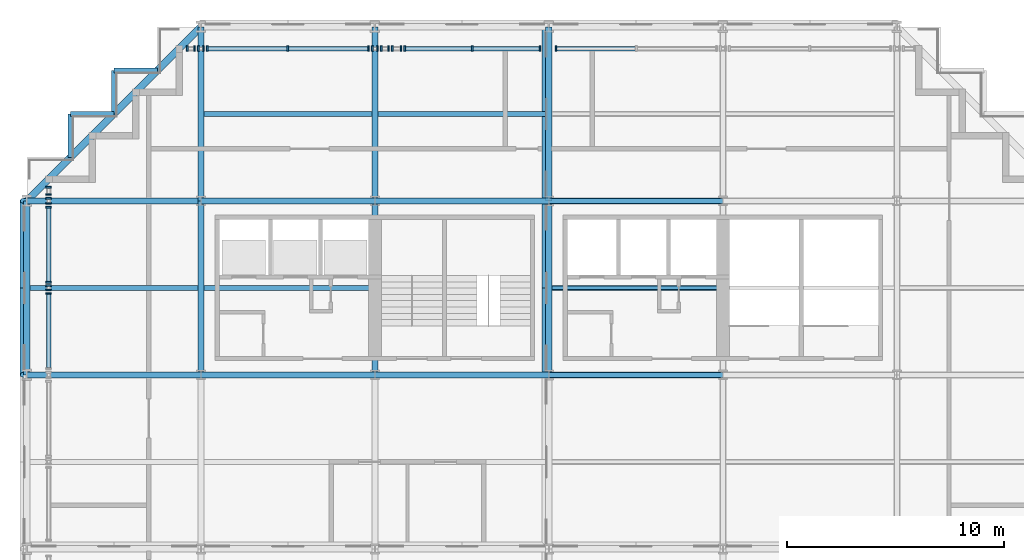
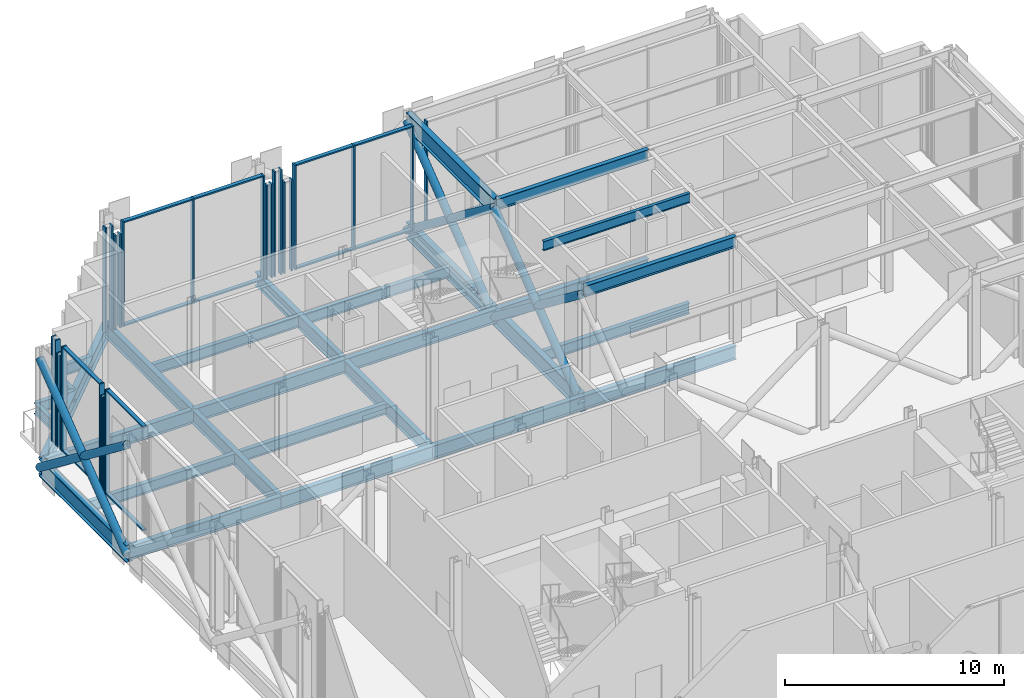
# One storey, part 6 of 25: 45 members, 29 beams, 13 elements without a shape of their own.
"""IFC4 building model written with IfcOpenShell, lengths in metres."""

from ifc_helpers import new_model, si_unit, direction, frame, origin, origin_2d, place, context, subcontext, project, spatial, rectangle, hollow_circle, i_section, extrude, material, material_profile, profile_set, type_object, element, aggregate, save


model = new_model("IFC4")

# Units and contexts
model_context = context("Model", 3, precision=1e-05, world=origin(), true_north=direction((0.0, 1.0)))
body_context = subcontext(model_context, "Body", "Model", "MODEL_VIEW")
ifc_project = project(units=[si_unit("LENGTHUNIT", "METRE"), si_unit("AREAUNIT", "SQUARE_METRE"), si_unit("VOLUMEUNIT", "CUBIC_METRE"), si_unit("PLANEANGLEUNIT", "RADIAN"), si_unit("MASSUNIT", "GRAM", prefix="KILO")], contexts=[model_context])

# Site, building, storey
site_placement = place(None, origin())
site = spatial("IfcSite", under=ifc_project, at=site_placement, CompositionType="ELEMENT")
building_placement = place(site_placement, origin())
building = spatial("IfcBuilding", under=site, at=building_placement, Name="Immortelle Media Tower", CompositionType="ELEMENT")
storey_placement = place(building_placement, frame((0.0, 0.0, 114.0)))
storey = spatial("IfcBuildingStorey", under=building, at=storey_placement, Name="L22", CompositionType="ELEMENT", Elevation=114.0)

# Members
ifc_material_1 = material(Name="Steel ASTM A500 Gr C", Category="steel")
ifc_material_profile_1 = material_profile(ifc_material_1, hollow_circle(Radius=0.202880859375, WallThickness=0.011962890625, at=origin_2d()), Name="HSS16.000x0.500 truss diagonal")
ifc_profile_set_1 = profile_set([ifc_material_profile_1], Name="Steel ASTM A500 Gr C")
member_type_1 = type_object("IfcMemberType", Name="HSS16.000x0.500 truss diagonal", PredefinedType="BRACE", material=ifc_profile_set_1)
for number, where, z_axis, x_axis, name in (
    (1, (-0.113037109375, 32.0, -0.72509765625), (0.0, 0.794648909693, 0.607069279674), (-1.0, 0.0, 0.0), "Belt truss 1/E-F A"),
    (2, (-0.113037109375, 32.0, 5.386474609375), (0.0, 0.794648909693, -0.607069279674), (-1.0, 0.0, 0.0), "Belt truss 1/E-F B"),
    (3, (23.886962890625, 32.0, -0.72509765625), (0.0, 0.794648909693, 0.607069279674), (-1.0, 0.0, 0.0), "Belt truss 4/E-F A"),
    (4, (23.886962890625, 32.0, 5.386474609375), (0.0, 0.794648909693, -0.607069279674), (-1.0, 0.0, 0.0), "Belt truss 4/E-F B"),
    (5, (23.886962890625, 40.0, -0.72509765625), (0.0, 0.794648909693, 0.607069279674), (-1.0, 0.0, 0.0), "Belt truss 4/F-G A"),
    (6, (23.886962890625, 40.0, 5.386474609375), (0.0, 0.794648909693, -0.607069279674), (-1.0, 0.0, 0.0), "Belt truss 4/F-G B"),
):
    element("IfcMember", number, at=place(storey_placement, frame(where, z_axis=z_axis, x_axis=x_axis)), inside=storey, type_object=member_type_1, Name=name, PredefinedType="BRACE", context=body_context, shape_type="SweptSolid", body=[
        extrude(hollow_circle(Radius=0.202880859375, WallThickness=0.011962890625, at=origin_2d()), origin(), (0.0, 0.0, 1.0), 10.0673828125),
    ])

# Curtain wall, member
ifc_material_2 = material(Name="Aluminium curtain wall system", Category="aluminium")
curtain_wall_type = type_object("IfcCurtainWallType", Name="Plant louvre wall curtain wall", PredefinedType="NOTDEFINED", material=ifc_material_2)
curtain_wall_1_placement = place(storey_placement, origin())
curtain_wall_1 = element("IfcCurtainWall", 7, at=curtain_wall_1_placement, inside=storey, type_object=curtain_wall_type, Name="Plant louvre wall L22 N 21-5", PredefinedType="NOTDEFINED")
ifc_material_3 = material(Name="Aluminium 6063-T6", Category="aluminium")
ifc_material_profile_2 = material_profile(ifc_material_3, rectangle(XDim=0.25, YDim=0.080078125, at=origin_2d()), Name="AL 80x250")
ifc_profile_set_2 = profile_set([ifc_material_profile_2], Name="Aluminium 6063-T6")
member_type_2 = type_object("IfcMemberType", Name="Plant louvre wall mullion 80 x 250", PredefinedType="MULLION", material=ifc_profile_set_2)
member_1_placement = place(storey_placement, frame((24.33349609375, 47.0, 0.0), z_axis=(0.0, 0.0, 1.0), x_axis=(0.0, -1.0, 0.0)))
member_1 = element("IfcMember", 8, at=member_1_placement, type_object=member_type_2, Name="CW6 mullion 3", PredefinedType="MULLION", context=body_context, shape_type="SweptSolid", body=[
    extrude(rectangle(XDim=0.25, YDim=0.080078125, at=origin_2d()), origin(), (0.0, 0.0, 1.0), 5.849609375),
])

# Curtain wall, members
curtain_wall_2_placement = place(storey_placement, origin())
curtain_wall_2 = element("IfcCurtainWall", 9, at=curtain_wall_2_placement, inside=storey, type_object=curtain_wall_type, Name="Plant louvre wall L22 N 21-6", PredefinedType="NOTDEFINED")
member_2_placement = place(storey_placement, frame((23.593994140625, 47.0, 0.0), z_axis=(0.0, 0.0, 1.0), x_axis=(0.0, -1.0, 0.0)))
member_2 = element("IfcMember", 10, at=member_2_placement, type_object=member_type_2, Name="CW6 mullion 1", PredefinedType="MULLION", context=body_context, shape_type="SweptSolid", body=[
    extrude(rectangle(XDim=0.25, YDim=0.080078125, at=origin_2d()), origin(), (0.0, 0.0, 1.0), 5.849609375),
])
member_3_placement = place(storey_placement, frame((20.4814453125, 47.0, 0.0), z_axis=(0.0, 0.0, 1.0), x_axis=(0.0, -1.0, 0.0)))
member_3 = element("IfcMember", 11, at=member_3_placement, type_object=member_type_2, Name="CW6 mullion 2", PredefinedType="MULLION", context=body_context, shape_type="SweptSolid", body=[
    extrude(rectangle(XDim=0.25, YDim=0.080078125, at=origin_2d()), origin(), (0.0, 0.0, 1.0), 5.849609375),
])
member_4_placement = place(storey_placement, frame((17.368896484375, 47.0, 0.0), z_axis=(0.0, 0.0, 1.0), x_axis=(0.0, -1.0, 0.0)))
member_4 = element("IfcMember", 12, at=member_4_placement, type_object=member_type_2, Name="CW6 mullion 3", PredefinedType="MULLION", context=body_context, shape_type="SweptSolid", body=[
    extrude(rectangle(XDim=0.25, YDim=0.080078125, at=origin_2d()), origin(), (0.0, 0.0, 1.0), 5.849609375),
])

curtain_wall_3_placement = place(storey_placement, origin())
curtain_wall_3 = element("IfcCurtainWall", 13, at=curtain_wall_3_placement, inside=storey, type_object=curtain_wall_type, Name="Plant louvre wall L22 N 21-7", PredefinedType="NOTDEFINED")
member_5_placement = place(storey_placement, frame((17.19873046875, 47.0, 0.0), z_axis=(0.0, 0.0, 1.0), x_axis=(0.0, -1.0, 0.0)))
member_5 = element("IfcMember", 14, at=member_5_placement, type_object=member_type_2, Name="CW6 mullion 1", PredefinedType="MULLION", context=body_context, shape_type="SweptSolid", body=[
    extrude(rectangle(XDim=0.25, YDim=0.080078125, at=origin_2d()), origin(), (0.0, 0.0, 1.0), 5.08740234375),
])
member_6_placement = place(storey_placement, frame((16.80126953125, 47.0, 0.0), z_axis=(0.0, 0.0, 1.0), x_axis=(0.0, -1.0, 0.0)))
member_6 = element("IfcMember", 15, at=member_6_placement, type_object=member_type_2, Name="CW6 mullion 2", PredefinedType="MULLION", context=body_context, shape_type="SweptSolid", body=[
    extrude(rectangle(XDim=0.25, YDim=0.080078125, at=origin_2d()), origin(), (0.0, 0.0, 1.0), 5.08740234375),
])
aggregate(curtain_wall_3, [member_5, member_6])

curtain_wall_4_placement = place(storey_placement, origin())
curtain_wall_4 = element("IfcCurtainWall", 16, at=curtain_wall_4_placement, inside=storey, type_object=curtain_wall_type, Name="Plant louvre wall L22 N 21-8", PredefinedType="NOTDEFINED")
member_7_placement = place(storey_placement, frame((16.631103515625, 47.0, 0.0), z_axis=(0.0, 0.0, 1.0), x_axis=(0.0, -1.0, 0.0)))
member_7 = element("IfcMember", 17, at=member_7_placement, type_object=member_type_2, Name="CW6 mullion 1", PredefinedType="MULLION", context=body_context, shape_type="SweptSolid", body=[
    extrude(rectangle(XDim=0.25, YDim=0.080078125, at=origin_2d()), origin(), (0.0, 0.0, 1.0), 5.849609375),
])
member_8_placement = place(storey_placement, frame((16.29443359375, 47.0, 0.0), z_axis=(0.0, 0.0, 1.0), x_axis=(0.0, -1.0, 0.0)))
member_8 = element("IfcMember", 18, at=member_8_placement, type_object=member_type_2, Name="CW6 mullion 2", PredefinedType="MULLION", context=body_context, shape_type="SweptSolid", body=[
    extrude(rectangle(XDim=0.25, YDim=0.080078125, at=origin_2d()), origin(), (0.0, 0.0, 1.0), 5.849609375),
])
aggregate(curtain_wall_4, [member_7, member_8])

curtain_wall_5_placement = place(storey_placement, origin())
curtain_wall_5 = element("IfcCurtainWall", 19, at=curtain_wall_5_placement, inside=storey, type_object=curtain_wall_type, Name="Plant louvre wall L22 N 21-9", PredefinedType="NOTDEFINED")
member_9_placement = place(storey_placement, frame((16.12451171875, 47.0, 0.0), z_axis=(0.0, 0.0, 1.0), x_axis=(0.0, -1.0, 0.0)))
member_9 = element("IfcMember", 20, at=member_9_placement, type_object=member_type_2, Name="CW6 mullion 1", PredefinedType="MULLION", context=body_context, shape_type="SweptSolid", body=[
    extrude(rectangle(XDim=0.25, YDim=0.080078125, at=origin_2d()), origin(), (0.0, 0.0, 1.0), 5.237548828125),
])
member_10_placement = place(storey_placement, frame((15.87548828125, 47.0, 0.0), z_axis=(0.0, 0.0, 1.0), x_axis=(0.0, -1.0, 0.0)))
member_10 = element("IfcMember", 21, at=member_10_placement, type_object=member_type_2, Name="CW6 mullion 2", PredefinedType="MULLION", context=body_context, shape_type="SweptSolid", body=[
    extrude(rectangle(XDim=0.25, YDim=0.080078125, at=origin_2d()), origin(), (0.0, 0.0, 1.0), 5.237548828125),
])
aggregate(curtain_wall_5, [member_9, member_10])

curtain_wall_6_placement = place(storey_placement, origin())
curtain_wall_6 = element("IfcCurtainWall", 22, at=curtain_wall_6_placement, inside=storey, type_object=curtain_wall_type, Name="Plant louvre wall L22 N 21-10", PredefinedType="NOTDEFINED")
member_11_placement = place(storey_placement, frame((15.70556640625, 47.0, 0.0), z_axis=(0.0, 0.0, 1.0), x_axis=(0.0, -1.0, 0.0)))
member_11 = element("IfcMember", 23, at=member_11_placement, type_object=member_type_2, Name="CW6 mullion 1", PredefinedType="MULLION", context=body_context, shape_type="SweptSolid", body=[
    extrude(rectangle(XDim=0.25, YDim=0.080078125, at=origin_2d()), origin(), (0.0, 0.0, 1.0), 5.849609375),
])
member_12_placement = place(storey_placement, frame((12.0, 47.0, 0.0), z_axis=(0.0, 0.0, 1.0), x_axis=(0.0, -1.0, 0.0)))
member_12 = element("IfcMember", 24, at=member_12_placement, type_object=member_type_2, Name="CW6 mullion 2", PredefinedType="MULLION", context=body_context, shape_type="SweptSolid", body=[
    extrude(rectangle(XDim=0.25, YDim=0.080078125, at=origin_2d()), origin(), (0.0, 0.0, 1.0), 5.849609375),
])
member_13_placement = place(storey_placement, frame((8.29443359375, 47.0, 0.0), z_axis=(0.0, 0.0, 1.0), x_axis=(0.0, -1.0, 0.0)))
member_13 = element("IfcMember", 25, at=member_13_placement, type_object=member_type_2, Name="CW6 mullion 3", PredefinedType="MULLION", context=body_context, shape_type="SweptSolid", body=[
    extrude(rectangle(XDim=0.25, YDim=0.080078125, at=origin_2d()), origin(), (0.0, 0.0, 1.0), 5.849609375),
])

curtain_wall_7_placement = place(storey_placement, origin())
curtain_wall_7 = element("IfcCurtainWall", 26, at=curtain_wall_7_placement, inside=storey, type_object=curtain_wall_type, Name="Plant louvre wall L22 N 21-11", PredefinedType="NOTDEFINED")
member_14_placement = place(storey_placement, frame((8.12451171875, 47.0, 0.0), z_axis=(0.0, 0.0, 1.0), x_axis=(0.0, -1.0, 0.0)))
member_14 = element("IfcMember", 27, at=member_14_placement, type_object=member_type_2, Name="CW6 mullion 1", PredefinedType="MULLION", context=body_context, shape_type="SweptSolid", body=[
    extrude(rectangle(XDim=0.25, YDim=0.080078125, at=origin_2d()), origin(), (0.0, 0.0, 1.0), 5.237548828125),
])
member_15_placement = place(storey_placement, frame((7.87548828125, 47.0, 0.0), z_axis=(0.0, 0.0, 1.0), x_axis=(0.0, -1.0, 0.0)))
member_15 = element("IfcMember", 28, at=member_15_placement, type_object=member_type_2, Name="CW6 mullion 2", PredefinedType="MULLION", context=body_context, shape_type="SweptSolid", body=[
    extrude(rectangle(XDim=0.25, YDim=0.080078125, at=origin_2d()), origin(), (0.0, 0.0, 1.0), 5.237548828125),
])
aggregate(curtain_wall_7, [member_14, member_15])

curtain_wall_8_placement = place(storey_placement, origin())
curtain_wall_8 = element("IfcCurtainWall", 29, at=curtain_wall_8_placement, inside=storey, type_object=curtain_wall_type, Name="Plant louvre wall L22 N 21-12", PredefinedType="NOTDEFINED")
member_16_placement = place(storey_placement, frame((7.70556640625, 47.0, 0.0), z_axis=(0.0, 0.0, 1.0), x_axis=(0.0, -1.0, 0.0)))
member_16 = element("IfcMember", 30, at=member_16_placement, type_object=member_type_2, Name="CW6 mullion 1", PredefinedType="MULLION", context=body_context, shape_type="SweptSolid", body=[
    extrude(rectangle(XDim=0.25, YDim=0.080078125, at=origin_2d()), origin(), (0.0, 0.0, 1.0), 5.849609375),
])
member_17_placement = place(storey_placement, frame((7.368896484375, 47.0, 0.0), z_axis=(0.0, 0.0, 1.0), x_axis=(0.0, -1.0, 0.0)))
member_17 = element("IfcMember", 31, at=member_17_placement, type_object=member_type_2, Name="CW6 mullion 2", PredefinedType="MULLION", context=body_context, shape_type="SweptSolid", body=[
    extrude(rectangle(XDim=0.25, YDim=0.080078125, at=origin_2d()), origin(), (0.0, 0.0, 1.0), 5.849609375),
])
aggregate(curtain_wall_8, [member_16, member_17])

curtain_wall_9_placement = place(storey_placement, origin())
curtain_wall_9 = element("IfcCurtainWall", 32, at=curtain_wall_9_placement, inside=storey, type_object=curtain_wall_type, Name="Plant louvre wall L22 W 28-2", PredefinedType="NOTDEFINED")
member_18_placement = place(storey_placement, frame((1.0, 40.631103515625, 0.0), z_axis=(0.0, 0.0, 1.0), x_axis=(1.0, 0.0, 0.0)))
member_18 = element("IfcMember", 33, at=member_18_placement, type_object=member_type_2, Name="CW6 mullion 1", PredefinedType="MULLION", context=body_context, shape_type="SweptSolid", body=[
    extrude(rectangle(XDim=0.25, YDim=0.080078125, at=origin_2d()), origin(), (0.0, 0.0, 1.0), 5.849609375),
])
member_19_placement = place(storey_placement, frame((1.0, 40.29443359375, 0.0), z_axis=(0.0, 0.0, 1.0), x_axis=(1.0, 0.0, 0.0)))
member_19 = element("IfcMember", 34, at=member_19_placement, type_object=member_type_2, Name="CW6 mullion 2", PredefinedType="MULLION", context=body_context, shape_type="SweptSolid", body=[
    extrude(rectangle(XDim=0.25, YDim=0.080078125, at=origin_2d()), origin(), (0.0, 0.0, 1.0), 5.849609375),
])
aggregate(curtain_wall_9, [member_18, member_19])

curtain_wall_10_placement = place(storey_placement, origin())
curtain_wall_10 = element("IfcCurtainWall", 35, at=curtain_wall_10_placement, inside=storey, type_object=curtain_wall_type, Name="Plant louvre wall L22 W 28-3", PredefinedType="NOTDEFINED")
member_20_placement = place(storey_placement, frame((1.0, 40.12451171875, 0.0), z_axis=(0.0, 0.0, 1.0), x_axis=(1.0, 0.0, 0.0)))
member_20 = element("IfcMember", 36, at=member_20_placement, type_object=member_type_2, Name="CW6 mullion 1", PredefinedType="MULLION", context=body_context, shape_type="SweptSolid", body=[
    extrude(rectangle(XDim=0.25, YDim=0.080078125, at=origin_2d()), origin(), (0.0, 0.0, 1.0), 5.237548828125),
])
member_21_placement = place(storey_placement, frame((1.0, 39.87548828125, 0.0), z_axis=(0.0, 0.0, 1.0), x_axis=(1.0, 0.0, 0.0)))
member_21 = element("IfcMember", 37, at=member_21_placement, type_object=member_type_2, Name="CW6 mullion 2", PredefinedType="MULLION", context=body_context, shape_type="SweptSolid", body=[
    extrude(rectangle(XDim=0.25, YDim=0.080078125, at=origin_2d()), origin(), (0.0, 0.0, 1.0), 5.237548828125),
])
aggregate(curtain_wall_10, [member_20, member_21])

curtain_wall_11_placement = place(storey_placement, origin())
curtain_wall_11 = element("IfcCurtainWall", 38, at=curtain_wall_11_placement, inside=storey, type_object=curtain_wall_type, Name="Plant louvre wall L22 W 28-4", PredefinedType="NOTDEFINED")
member_22_placement = place(storey_placement, frame((1.0, 39.70556640625, 0.0), z_axis=(0.0, 0.0, 1.0), x_axis=(1.0, 0.0, 0.0)))
member_22 = element("IfcMember", 39, at=member_22_placement, type_object=member_type_2, Name="CW6 mullion 1", PredefinedType="MULLION", context=body_context, shape_type="SweptSolid", body=[
    extrude(rectangle(XDim=0.25, YDim=0.080078125, at=origin_2d()), origin(), (0.0, 0.0, 1.0), 5.849609375),
])
member_23_placement = place(storey_placement, frame((1.0, 36.262451171875, 0.0), z_axis=(0.0, 0.0, 1.0), x_axis=(1.0, 0.0, 0.0)))
member_23 = element("IfcMember", 40, at=member_23_placement, type_object=member_type_2, Name="CW6 mullion 2", PredefinedType="MULLION", context=body_context, shape_type="SweptSolid", body=[
    extrude(rectangle(XDim=0.25, YDim=0.080078125, at=origin_2d()), origin(), (0.0, 0.0, 1.0), 5.849609375),
])

curtain_wall_12_placement = place(storey_placement, origin())
curtain_wall_12 = element("IfcCurtainWall", 41, at=curtain_wall_12_placement, inside=storey, type_object=curtain_wall_type, Name="Plant louvre wall L22 W 28-5", PredefinedType="NOTDEFINED")
member_24_placement = place(storey_placement, frame((1.0, 36.092529296875, 0.0), z_axis=(0.0, 0.0, 1.0), x_axis=(1.0, 0.0, 0.0)))
member_24 = element("IfcMember", 42, at=member_24_placement, type_object=member_type_2, Name="CW6 mullion 1", PredefinedType="MULLION", context=body_context, shape_type="SweptSolid", body=[
    extrude(rectangle(XDim=0.25, YDim=0.080078125, at=origin_2d()), origin(), (0.0, 0.0, 1.0), 5.323486328125),
])
member_25_placement = place(storey_placement, frame((1.0, 35.907470703125, 0.0), z_axis=(0.0, 0.0, 1.0), x_axis=(1.0, 0.0, 0.0)))
member_25 = element("IfcMember", 43, at=member_25_placement, type_object=member_type_2, Name="CW6 mullion 2", PredefinedType="MULLION", context=body_context, shape_type="SweptSolid", body=[
    extrude(rectangle(XDim=0.25, YDim=0.080078125, at=origin_2d()), origin(), (0.0, 0.0, 1.0), 5.323486328125),
])
aggregate(curtain_wall_12, [member_24, member_25])

# Curtain wall, member
curtain_wall_13_placement = place(storey_placement, origin())
curtain_wall_13 = element("IfcCurtainWall", 44, at=curtain_wall_13_placement, inside=storey, type_object=curtain_wall_type, Name="Plant louvre wall L22 W 28-6", PredefinedType="NOTDEFINED")
member_26_placement = place(storey_placement, frame((1.0, 35.737548828125, 0.0), z_axis=(0.0, 0.0, 1.0), x_axis=(1.0, 0.0, 0.0)))
member_26 = element("IfcMember", 45, at=member_26_placement, type_object=member_type_2, Name="CW6 mullion 1", PredefinedType="MULLION", context=body_context, shape_type="SweptSolid", body=[
    extrude(rectangle(XDim=0.25, YDim=0.080078125, at=origin_2d()), origin(), (0.0, 0.0, 1.0), 5.849609375),
])

# Member
ifc_material_profile_3 = material_profile(ifc_material_3, rectangle(XDim=0.199951171875, YDim=0.080078125, at=origin_2d()), Name="AL 80x200")
ifc_profile_set_3 = profile_set([ifc_material_profile_3], Name="Aluminium 6063-T6")
member_type_3 = type_object("IfcMemberType", Name="Plant louvre wall transom 80 x 200", PredefinedType="USERDEFINED", material=ifc_profile_set_3)
member_27_placement = place(storey_placement, frame((27.9794921875, 47.0, 0.0400390625), z_axis=(-1.0, 0.0, 0.0), x_axis=(0.0, -1.0, 0.0)))
member_27 = element("IfcMember", 46, at=member_27_placement, type_object=member_type_3, Name="CW6 transom 2.1", ObjectType="TRANSOM", PredefinedType="USERDEFINED", context=body_context, shape_type="SweptSolid", body=[
    extrude(rectangle(XDim=0.199951171875, YDim=0.080078125, at=origin_2d()), origin(), (0.0, 0.0, 1.0), 3.60595703125),
])

aggregate(curtain_wall_1, [member_1, member_27])

member_28_placement = place(storey_placement, frame((23.553955078125, 47.0, 0.0400390625), z_axis=(-1.0, 0.0, 0.0), x_axis=(0.0, -1.0, 0.0)))
member_28 = element("IfcMember", 47, at=member_28_placement, type_object=member_type_3, Name="CW6 transom 1.1", ObjectType="TRANSOM", PredefinedType="USERDEFINED", context=body_context, shape_type="SweptSolid", body=[
    extrude(rectangle(XDim=0.199951171875, YDim=0.080078125, at=origin_2d()), origin(), (0.0, 0.0, 1.0), 3.032470703125),
])

member_29_placement = place(storey_placement, frame((23.553955078125, 47.0, 5.8095703125), z_axis=(-1.0, 0.0, 0.0), x_axis=(0.0, -1.0, 0.0)))
member_29 = element("IfcMember", 48, at=member_29_placement, type_object=member_type_3, Name="CW6 transom 1.2", ObjectType="TRANSOM", PredefinedType="USERDEFINED", context=body_context, shape_type="SweptSolid", body=[
    extrude(rectangle(XDim=0.199951171875, YDim=0.080078125, at=origin_2d()), origin(), (0.0, 0.0, 1.0), 3.032470703125),
])

member_30_placement = place(storey_placement, frame((20.44140625, 47.0, 0.0400390625), z_axis=(-1.0, 0.0, 0.0), x_axis=(0.0, -1.0, 0.0)))
member_30 = element("IfcMember", 49, at=member_30_placement, type_object=member_type_3, Name="CW6 transom 2.1", ObjectType="TRANSOM", PredefinedType="USERDEFINED", context=body_context, shape_type="SweptSolid", body=[
    extrude(rectangle(XDim=0.199951171875, YDim=0.080078125, at=origin_2d()), origin(), (0.0, 0.0, 1.0), 3.03271484375),
])

member_31_placement = place(storey_placement, frame((20.44140625, 47.0, 5.8095703125), z_axis=(-1.0, 0.0, 0.0), x_axis=(0.0, -1.0, 0.0)))
member_31 = element("IfcMember", 50, at=member_31_placement, type_object=member_type_3, Name="CW6 transom 2.2", ObjectType="TRANSOM", PredefinedType="USERDEFINED", context=body_context, shape_type="SweptSolid", body=[
    extrude(rectangle(XDim=0.199951171875, YDim=0.080078125, at=origin_2d()), origin(), (0.0, 0.0, 1.0), 3.03271484375),
])

aggregate(curtain_wall_2, [member_2, member_3, member_4, member_28, member_29, member_30, member_31])

member_32_placement = place(storey_placement, frame((15.66552734375, 47.0, 0.0400390625), z_axis=(-1.0, 0.0, 0.0), x_axis=(0.0, -1.0, 0.0)))
member_32 = element("IfcMember", 51, at=member_32_placement, type_object=member_type_3, Name="CW6 transom 1.1", ObjectType="TRANSOM", PredefinedType="USERDEFINED", context=body_context, shape_type="SweptSolid", body=[
    extrude(rectangle(XDim=0.199951171875, YDim=0.080078125, at=origin_2d()), origin(), (0.0, 0.0, 1.0), 3.62548828125),
])

member_33_placement = place(storey_placement, frame((15.66552734375, 47.0, 5.8095703125), z_axis=(-1.0, 0.0, 0.0), x_axis=(0.0, -1.0, 0.0)))
member_33 = element("IfcMember", 52, at=member_33_placement, type_object=member_type_3, Name="CW6 transom 1.2", ObjectType="TRANSOM", PredefinedType="USERDEFINED", context=body_context, shape_type="SweptSolid", body=[
    extrude(rectangle(XDim=0.199951171875, YDim=0.080078125, at=origin_2d()), origin(), (0.0, 0.0, 1.0), 3.62548828125),
])

member_34_placement = place(storey_placement, frame((11.9599609375, 47.0, 0.0400390625), z_axis=(-1.0, 0.0, 0.0), x_axis=(0.0, -1.0, 0.0)))
member_34 = element("IfcMember", 53, at=member_34_placement, type_object=member_type_3, Name="CW6 transom 2.1", ObjectType="TRANSOM", PredefinedType="USERDEFINED", context=body_context, shape_type="SweptSolid", body=[
    extrude(rectangle(XDim=0.199951171875, YDim=0.080078125, at=origin_2d()), origin(), (0.0, 0.0, 1.0), 3.62548828125),
])

member_35_placement = place(storey_placement, frame((11.9599609375, 47.0, 5.8095703125), z_axis=(-1.0, 0.0, 0.0), x_axis=(0.0, -1.0, 0.0)))
member_35 = element("IfcMember", 54, at=member_35_placement, type_object=member_type_3, Name="CW6 transom 2.2", ObjectType="TRANSOM", PredefinedType="USERDEFINED", context=body_context, shape_type="SweptSolid", body=[
    extrude(rectangle(XDim=0.199951171875, YDim=0.080078125, at=origin_2d()), origin(), (0.0, 0.0, 1.0), 3.62548828125),
])

aggregate(curtain_wall_6, [member_11, member_12, member_13, member_32, member_33, member_34, member_35])

member_36_placement = place(storey_placement, frame((1.0, 39.66552734375, 0.0400390625), z_axis=(0.0, -1.0, 0.0), x_axis=(1.0, 0.0, 0.0)))
member_36 = element("IfcMember", 55, at=member_36_placement, type_object=member_type_3, Name="CW6 transom 1.1", ObjectType="TRANSOM", PredefinedType="USERDEFINED", context=body_context, shape_type="SweptSolid", body=[
    extrude(rectangle(XDim=0.199951171875, YDim=0.080078125, at=origin_2d()), origin(), (0.0, 0.0, 1.0), 3.363037109375),
])

member_37_placement = place(storey_placement, frame((1.0, 39.66552734375, 5.8095703125), z_axis=(0.0, -1.0, 0.0), x_axis=(1.0, 0.0, 0.0)))
member_37 = element("IfcMember", 56, at=member_37_placement, type_object=member_type_3, Name="CW6 transom 1.2", ObjectType="TRANSOM", PredefinedType="USERDEFINED", context=body_context, shape_type="SweptSolid", body=[
    extrude(rectangle(XDim=0.199951171875, YDim=0.080078125, at=origin_2d()), origin(), (0.0, 0.0, 1.0), 3.363037109375),
])

aggregate(curtain_wall_11, [member_22, member_23, member_36, member_37])

member_38_placement = place(storey_placement, frame((1.0, 35.697509765625, 0.0400390625), z_axis=(0.0, -1.0, 0.0), x_axis=(1.0, 0.0, 0.0)))
member_38 = element("IfcMember", 57, at=member_38_placement, type_object=member_type_3, Name="CW6 transom 1.1", ObjectType="TRANSOM", PredefinedType="USERDEFINED", context=body_context, shape_type="SweptSolid", body=[
    extrude(rectangle(XDim=0.199951171875, YDim=0.080078125, at=origin_2d()), origin(), (0.0, 0.0, 1.0), 3.363037109375),
])

member_39_placement = place(storey_placement, frame((1.0, 35.697509765625, 5.8095703125), z_axis=(0.0, -1.0, 0.0), x_axis=(1.0, 0.0, 0.0)))
member_39 = element("IfcMember", 58, at=member_39_placement, type_object=member_type_3, Name="CW6 transom 1.2", ObjectType="TRANSOM", PredefinedType="USERDEFINED", context=body_context, shape_type="SweptSolid", body=[
    extrude(rectangle(XDim=0.199951171875, YDim=0.080078125, at=origin_2d()), origin(), (0.0, 0.0, 1.0), 3.363037109375),
])

aggregate(curtain_wall_13, [member_26, member_38, member_39])

# Beams
ifc_material_4 = material(Name="Steel ASTM A992 Gr 50", Category="steel")
ifc_material_profile_4 = material_profile(ifc_material_4, i_section(OverallWidth=0.1650390625, OverallDepth=0.52587890625, WebThickness=0.009033203125, FlangeThickness=0.010986328125, at=origin_2d()), Name="W21x44")
ifc_profile_set_4 = profile_set([ifc_material_profile_4], Name="Steel ASTM A992 Gr 50")
beam_type_1 = type_object("IfcBeamType", Name="W21x44 secondary beam", PredefinedType="JOIST", material=ifc_profile_set_4)
beam_1_placement = place(storey_placement, frame((24.153564453125, 36.0, 5.5869140625), z_axis=(1.0, 0.0, 0.0), x_axis=(0.0, 1.0, 0.0)))
element("IfcBeam", 59, at=beam_1_placement, inside=storey, type_object=beam_type_1, Name="Beam E-F/4-5", PredefinedType="JOIST", context=body_context, shape_type="SweptSolid", body=[
    extrude(i_section(OverallWidth=0.1650390625, OverallDepth=0.52587890625, WebThickness=0.009033203125, FlangeThickness=0.010986328125, at=origin_2d()), origin(), (0.0, 0.0, 1.0), 7.73193359375),
])
ifc_material_profile_5 = material_profile(ifc_material_4, i_section(OverallWidth=0.22802734375, OverallDepth=0.60205078125, WebThickness=0.010986328125, FlangeThickness=0.014892578125, at=origin_2d()), Name="W24x68")
ifc_profile_set_5 = profile_set([ifc_material_profile_5], Name="Steel ASTM A992 Gr 50")
beam_type_2 = type_object("IfcBeamType", Name="W24x68 secondary beam", PredefinedType="JOIST", material=ifc_profile_set_5)
beam_2_placement = place(storey_placement, frame((0.155029296875, 36.0, -0.551025390625), z_axis=(1.0, 0.0, 0.0), x_axis=(0.0, 1.0, 0.0)))
element("IfcBeam", 60, at=beam_2_placement, inside=storey, type_object=beam_type_2, Name="Beam E-F/1-2", PredefinedType="JOIST", context=body_context, shape_type="SweptSolid", body=[
    extrude(i_section(OverallWidth=0.22802734375, OverallDepth=0.60205078125, WebThickness=0.010986328125, FlangeThickness=0.014892578125, at=origin_2d()), origin(), (0.0, 0.0, 1.0), 7.71142578125),
])
beam_3_placement = place(storey_placement, frame((8.133544921875, 36.0, -0.551025390625), z_axis=(1.0, 0.0, 0.0), x_axis=(0.0, 1.0, 0.0)))
element("IfcBeam", 61, at=beam_3_placement, inside=storey, type_object=beam_type_2, Name="Beam E-F/2-3", PredefinedType="JOIST", context=body_context, shape_type="SweptSolid", body=[
    extrude(i_section(OverallWidth=0.22802734375, OverallDepth=0.60205078125, WebThickness=0.010986328125, FlangeThickness=0.014892578125, at=origin_2d()), origin(), (0.0, 0.0, 1.0), 7.73291015625),
])
beam_4_placement = place(storey_placement, frame((24.155029296875, 36.0, -0.551025390625), z_axis=(1.0, 0.0, 0.0), x_axis=(0.0, 1.0, 0.0)))
element("IfcBeam", 62, at=beam_4_placement, inside=storey, type_object=beam_type_2, Name="Beam E-F/4-5", PredefinedType="JOIST", context=body_context, shape_type="SweptSolid", body=[
    extrude(i_section(OverallWidth=0.22802734375, OverallDepth=0.60205078125, WebThickness=0.010986328125, FlangeThickness=0.014892578125, at=origin_2d()), origin(), (0.0, 0.0, 1.0), 7.71142578125),
])
beam_5_placement = place(storey_placement, frame((8.133544921875, 44.0, -0.551025390625), z_axis=(1.0, 0.0, 0.0), x_axis=(0.0, 1.0, 0.0)))
element("IfcBeam", 63, at=beam_5_placement, inside=storey, type_object=beam_type_2, Name="Beam F-G/2-3", PredefinedType="JOIST", context=body_context, shape_type="SweptSolid", body=[
    extrude(i_section(OverallWidth=0.22802734375, OverallDepth=0.60205078125, WebThickness=0.010986328125, FlangeThickness=0.014892578125, at=origin_2d()), origin(), (0.0, 0.0, 1.0), 7.73291015625),
])
beam_6_placement = place(storey_placement, frame((16.133544921875, 44.0, -0.551025390625), z_axis=(1.0, 0.0, 0.0), x_axis=(0.0, 1.0, 0.0)))
element("IfcBeam", 64, at=beam_6_placement, inside=storey, type_object=beam_type_2, Name="Beam F-G/3-4", PredefinedType="JOIST", context=body_context, shape_type="SweptSolid", body=[
    extrude(i_section(OverallWidth=0.22802734375, OverallDepth=0.60205078125, WebThickness=0.010986328125, FlangeThickness=0.014892578125, at=origin_2d()), origin(), (0.0, 0.0, 1.0), 7.71142578125),
])
ifc_material_profile_6 = material_profile(ifc_material_4, i_section(OverallWidth=0.22802734375, OverallDepth=0.60205078125, WebThickness=0.010986328125, FlangeThickness=0.014892578125, at=origin_2d()), Name="W24x68")
ifc_profile_set_6 = profile_set([ifc_material_profile_6], Name="Steel ASTM A992 Gr 50")
beam_type_3 = type_object("IfcBeamType", Name="W24x68 serration edge beam", PredefinedType="SPANDREL", material=ifc_profile_set_6)
for number, where, z_axis, x_axis, name in (
    (65, (2.0, 42.0, -0.551025390625), (0.0, 1.0, 0.0), (-1.0, 0.0, 0.0), "Corner edge beam 1 at 1/G"),
    (66, (2.0, 44.0, -0.551025390625), (1.0, 0.0, 0.0), (0.0, 1.0, 0.0), "Corner edge beam 2 at 1/G"),
    (67, (4.0, 44.0, -0.551025390625), (0.0, 1.0, 0.0), (-1.0, 0.0, 0.0), "Corner edge beam 3 at 1/G"),
    (68, (4.0, 46.0, -0.551025390625), (1.0, 0.0, 0.0), (0.0, 1.0, 0.0), "Corner edge beam 4 at 1/G"),
):
    element("IfcBeam", number, at=place(storey_placement, frame(where, z_axis=z_axis, x_axis=x_axis)), inside=storey, type_object=beam_type_3, Name=name, PredefinedType="SPANDREL", context=body_context, shape_type="SweptSolid", body=[
        extrude(i_section(OverallWidth=0.22802734375, OverallDepth=0.60205078125, WebThickness=0.010986328125, FlangeThickness=0.014892578125, at=origin_2d()), origin(), (0.0, 0.0, 1.0), 2.0),
    ])
ifc_material_profile_7 = material_profile(ifc_material_4, i_section(OverallWidth=0.22900390625, OverallDepth=0.612060546875, WebThickness=0.011962890625, FlangeThickness=0.02001953125, at=origin_2d()), Name="W24x84")
ifc_profile_set_7 = profile_set([ifc_material_profile_7], Name="Steel ASTM A992 Gr 50")
beam_type_4 = type_object("IfcBeamType", Name="W24x84 girder", PredefinedType="BEAM", material=ifc_profile_set_7)
for number, where, z_axis, x_axis, name in (
    (69, (24.0, 32.0, 5.5439453125), (1.0, 0.0, 0.0), (0.0, 1.0, 0.0), "Girder E/4-5"),
    (70, (24.0, 40.0, 5.5439453125), (1.0, 0.0, 0.0), (0.0, 1.0, 0.0), "Girder F/4-5"),
):
    element("IfcBeam", number, at=place(storey_placement, frame(where, z_axis=z_axis, x_axis=x_axis)), inside=storey, type_object=beam_type_4, Name=name, PredefinedType="BEAM", context=body_context, shape_type="SweptSolid", body=[
        extrude(i_section(OverallWidth=0.22900390625, OverallDepth=0.612060546875, WebThickness=0.011962890625, FlangeThickness=0.02001953125, at=origin_2d()), origin(), (0.0, 0.0, 1.0), 8.0),
    ])
ifc_material_profile_8 = material_profile(ifc_material_4, i_section(OverallWidth=0.26708984375, OverallDepth=0.761962890625, WebThickness=0.013916015625, FlangeThickness=0.02197265625, at=origin_2d()), Name="W30x116")
ifc_profile_set_8 = profile_set([ifc_material_profile_8], Name="Steel ASTM A992 Gr 50")
beam_type_5 = type_object("IfcBeamType", Name="W30x116 girder", PredefinedType="BEAM", material=ifc_profile_set_8)
for number, where, z_axis, x_axis, name in (
    (71, (0.0, 32.0, -0.631103515625), (1.0, 0.0, 0.0), (0.0, 1.0, 0.0), "Girder E/1-2"),
    (72, (0.0, 40.0, -0.631103515625), (1.0, 0.0, 0.0), (0.0, 1.0, 0.0), "Girder F/1-2"),
    (73, (8.0, 32.0, -0.631103515625), (1.0, 0.0, 0.0), (0.0, 1.0, 0.0), "Girder E/2-3"),
    (74, (8.0, 32.0, -0.631103515625), (0.0, 1.0, 0.0), (-1.0, 0.0, 0.0), "Girder 2/E-F"),
    (75, (8.0, 40.0, -0.631103515625), (1.0, 0.0, 0.0), (0.0, 1.0, 0.0), "Girder F/2-3"),
    (76, (8.0, 40.0, -0.631103515625), (0.0, 1.0, 0.0), (-1.0, 0.0, 0.0), "Girder 2/F-G"),
    (77, (16.0, 32.0, -0.631103515625), (1.0, 0.0, 0.0), (0.0, 1.0, 0.0), "Girder E/3-4"),
    (78, (16.0, 32.0, -0.631103515625), (0.0, 1.0, 0.0), (-1.0, 0.0, 0.0), "Girder 3/E-F"),
    (79, (16.0, 40.0, -0.631103515625), (1.0, 0.0, 0.0), (0.0, 1.0, 0.0), "Girder F/3-4"),
    (80, (16.0, 40.0, -0.631103515625), (0.0, 1.0, 0.0), (-1.0, 0.0, 0.0), "Girder 3/F-G"),
    (81, (24.0, 32.0, -0.631103515625), (1.0, 0.0, 0.0), (0.0, 1.0, 0.0), "Girder E/4-5"),
    (82, (24.0, 40.0, -0.631103515625), (1.0, 0.0, 0.0), (0.0, 1.0, 0.0), "Girder F/4-5"),
):
    element("IfcBeam", number, at=place(storey_placement, frame(where, z_axis=z_axis, x_axis=x_axis)), inside=storey, type_object=beam_type_5, Name=name, PredefinedType="BEAM", context=body_context, shape_type="SweptSolid", body=[
        extrude(i_section(OverallWidth=0.26708984375, OverallDepth=0.761962890625, WebThickness=0.013916015625, FlangeThickness=0.02197265625, at=origin_2d()), origin(), (0.0, 0.0, 1.0), 8.0),
    ])
ifc_material_profile_9 = material_profile(ifc_material_4, i_section(OverallWidth=0.306884765625, OverallDepth=0.927001953125, WebThickness=0.01904296875, FlangeThickness=0.031982421875, at=origin_2d()), Name="W36x194")
ifc_profile_set_9 = profile_set([ifc_material_profile_9], Name="Steel ASTM A992 Gr 50")
beam_type_6 = type_object("IfcBeamType", Name="W36x194 perimeter girder", PredefinedType="SPANDREL", material=ifc_profile_set_9)
beam_7_placement = place(storey_placement, frame((24.0, 40.0, 5.386474609375), z_axis=(0.0, 1.0, 0.0), x_axis=(-1.0, 0.0, 0.0)))
element("IfcBeam", 83, at=beam_7_placement, inside=storey, type_object=beam_type_6, Name="Girder 4/F-G", PredefinedType="SPANDREL", context=body_context, shape_type="SweptSolid", body=[
    extrude(i_section(OverallWidth=0.306884765625, OverallDepth=0.927001953125, WebThickness=0.01904296875, FlangeThickness=0.031982421875, at=origin_2d()), origin(), (0.0, 0.0, 1.0), 8.0),
])
ifc_material_profile_10 = material_profile(ifc_material_4, i_section(OverallWidth=0.31005859375, OverallDepth=0.949951171875, WebThickness=0.02392578125, FlangeThickness=0.0439453125, at=origin_2d()), Name="W36x256")
ifc_profile_set_10 = profile_set([ifc_material_profile_10], Name="Steel ASTM A992 Gr 50")
beam_type_7 = type_object("IfcBeamType", Name="W36x256 corner girder", PredefinedType="SPANDREL", material=ifc_profile_set_10)
beam_8_placement = place(storey_placement, frame((0.0, 40.0, -0.72509765625), z_axis=(0.707106781187, 0.707106781187, 0.0), x_axis=(-0.707106781187, 0.707106781187, 0.0)))
element("IfcBeam", 84, at=beam_8_placement, inside=storey, type_object=beam_type_7, Name="Corner girder at 1/G", PredefinedType="SPANDREL", context=body_context, shape_type="SweptSolid", body=[
    extrude(i_section(OverallWidth=0.31005859375, OverallDepth=0.949951171875, WebThickness=0.02392578125, FlangeThickness=0.0439453125, at=origin_2d()), origin(), (0.0, 0.0, 1.0), 11.313720703125),
])
ifc_material_profile_11 = material_profile(ifc_material_4, i_section(OverallWidth=0.31005859375, OverallDepth=0.949951171875, WebThickness=0.02392578125, FlangeThickness=0.0439453125, at=origin_2d()), Name="W36x256")
ifc_profile_set_11 = profile_set([ifc_material_profile_11], Name="Steel ASTM A992 Gr 50")
beam_type_8 = type_object("IfcBeamType", Name="W36x256 perimeter girder", PredefinedType="SPANDREL", material=ifc_profile_set_11)
for number, where, z_axis, x_axis, name in (
    (85, (0.0, 32.0, -0.72509765625), (0.0, 1.0, 0.0), (-1.0, 0.0, 0.0), "Girder 1/E-F"),
    (86, (24.0, 32.0, -0.72509765625), (0.0, 1.0, 0.0), (-1.0, 0.0, 0.0), "Girder 4/E-F"),
    (87, (24.0, 40.0, -0.72509765625), (0.0, 1.0, 0.0), (-1.0, 0.0, 0.0), "Girder 4/F-G"),
):
    element("IfcBeam", number, at=place(storey_placement, frame(where, z_axis=z_axis, x_axis=x_axis)), inside=storey, type_object=beam_type_8, Name=name, PredefinedType="SPANDREL", context=body_context, shape_type="SweptSolid", body=[
        extrude(i_section(OverallWidth=0.31005859375, OverallDepth=0.949951171875, WebThickness=0.02392578125, FlangeThickness=0.0439453125, at=origin_2d()), origin(), (0.0, 0.0, 1.0), 8.0),
    ])

save(model, "model.ifc")
